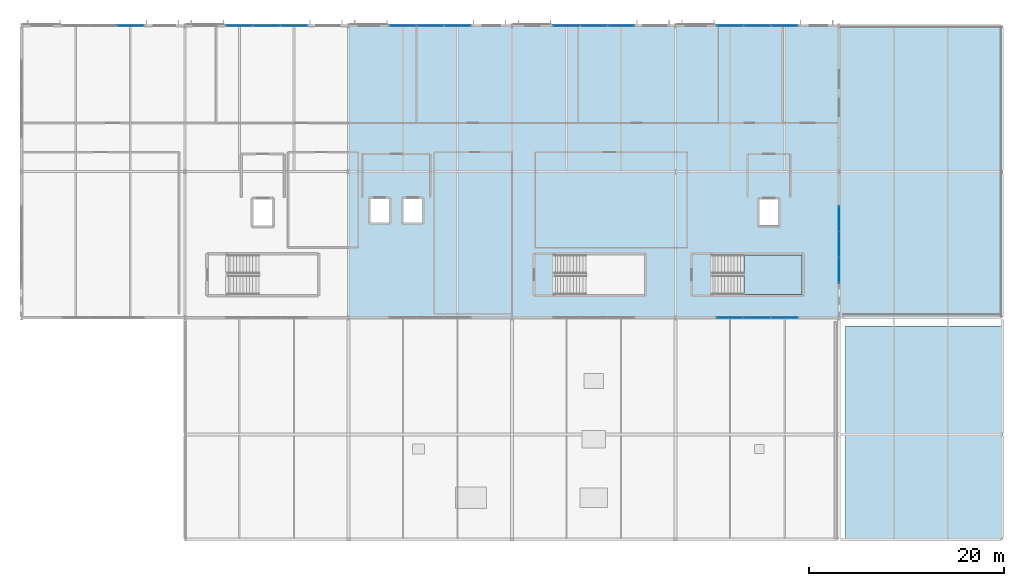
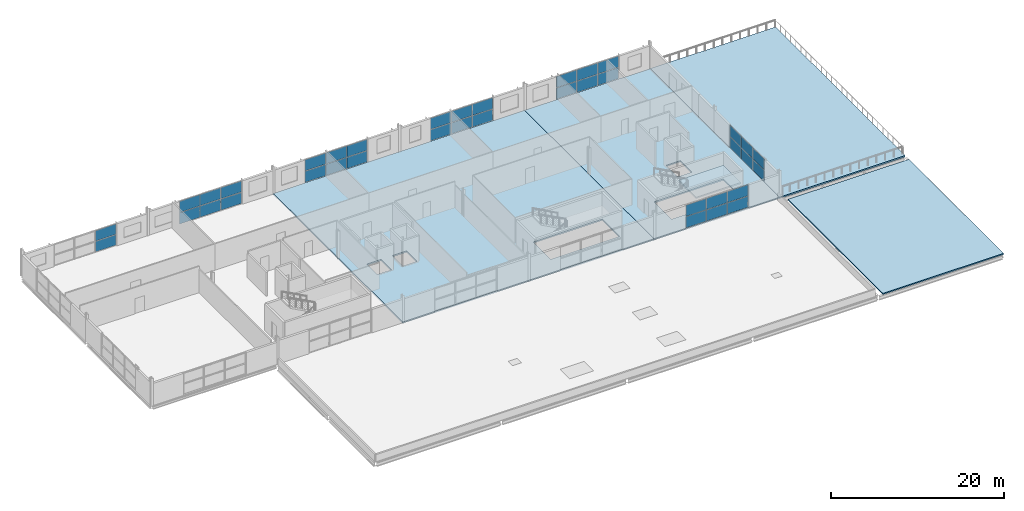
# One storey, part 26 of 36: 38 plates, 5 slabs, 8 elements without a shape of their own.
"""IFC4 building model written with IfcOpenShell, lengths in metres."""

import ifcopenshell
import ifcopenshell.guid

model = None  # the IFC model being written
_history = None  # IfcOwnerHistory: only IFC2X3 demands one
_inside = {}  # id of a spatial element -> (the spatial element, [elements in it])
_under = {}  # id of a project, library or spatial element -> (it, [spatial elements below it])
_declared = {}  # id of a project -> (the project, [libraries it declares])
_typed = {}  # id of a type object -> (the type object, [elements of that type])
_made_of = {}  # id of a material, layer set ... -> (it, [elements and type objects made of it])


def new_model(schema):
    """Start an empty IFC model of exactly this schema.

    Asked for "IFC4X3", IfcOpenShell would pick the latest addendum, in which some entities
    have other attributes; the version numbers below select the first issue.
    IFC2X3 requires an IfcOwnerHistory on every rooted entity: one is made here for all.
    """
    global model, _history
    if schema == "IFC4X3":
        model = ifcopenshell.file(schema_version=(4, 3, 0, 0))
    else:
        model = ifcopenshell.file(schema=schema)
    _inside.clear()
    _under.clear()
    _declared.clear()
    _typed.clear()
    _made_of.clear()
    _history = None
    if model.schema == "IFC2X3":
        org = make("IfcOrganization", Name="unknown")
        user = make(
            "IfcPersonAndOrganization",
            ThePerson=make("IfcPerson", FamilyName="unknown"),
            TheOrganization=org,
        )
        app = make(
            "IfcApplication",
            ApplicationDeveloper=org,
            Version="unknown",
            ApplicationFullName="unknown",
            ApplicationIdentifier="unknown",
        )
        _history = make(
            "IfcOwnerHistory",
            OwningUser=user,
            OwningApplication=app,
            ChangeAction="ADDED",
            CreationDate=0,
        )
    return model


def make(cls, **values):
    """One entity of the class cls with the attributes given. An attribute that is None is left unset."""
    return model.create_entity(
        cls, **{name: value for name, value in values.items() if value is not None}
    )


def rooted(cls, **values):
    """An entity with a GlobalId (a new one), such as an element, a storey or a relation."""
    return make(cls, GlobalId=ifcopenshell.guid.new(), OwnerHistory=_history, **values)


def si_unit(unit_type, name, prefix=None):
    """IfcSIUnit, for example si_unit("LENGTHUNIT", "METRE", prefix="MILLI")."""
    return make("IfcSIUnit", UnitType=unit_type, Prefix=prefix, Name=name)


def assignment(units):
    """IfcUnitAssignment: the units of a project."""
    return None if units is None else make("IfcUnitAssignment", Units=units)


def point(xyz):
    """IfcCartesianPoint."""
    return None if xyz is None else make("IfcCartesianPoint", Coordinates=xyz)


def direction(xyz):
    """IfcDirection."""
    return None if xyz is None else make("IfcDirection", DirectionRatios=xyz)


def frame(location, z_axis=None, x_axis=None):
    """IfcAxis2Placement3D, a coordinate frame: its origin and axes. An axis left out is left unset."""
    return make(
        "IfcAxis2Placement3D",
        Location=point(location),
        Axis=direction(z_axis),
        RefDirection=direction(x_axis),
    )


def frame_2d(location, x_axis=None):
    """IfcAxis2Placement2D, a coordinate frame in the plane: its origin and x axis."""
    return make(
        "IfcAxis2Placement2D", Location=point(location), RefDirection=direction(x_axis)
    )


def origin():
    """The frame at (0, 0, 0) with its axes left unset."""
    return frame((0.0, 0.0, 0.0))


def origin_2d():
    """The frame at (0, 0) in the plane with its x axis left unset."""
    return frame_2d((0.0, 0.0))


def place(relative_to, where):
    """IfcLocalPlacement: puts the frame where relative to a parent placement (None: the world)."""
    return make(
        "IfcLocalPlacement", PlacementRelTo=relative_to, RelativePlacement=where
    )


def context(
    kind, dimensions, precision=None, world=None, true_north=None, identifier=None
):
    """IfcGeometricRepresentationContext, for example the 3D "Model" context."""
    return make(
        "IfcGeometricRepresentationContext",
        ContextIdentifier=identifier,
        ContextType=kind,
        CoordinateSpaceDimension=dimensions,
        Precision=precision,
        WorldCoordinateSystem=world,
        TrueNorth=true_north,
    )


def subcontext(parent, identifier, kind, view, scale=None):
    """IfcGeometricRepresentationSubContext, for example "Body" below "Model"."""
    return make(
        "IfcGeometricRepresentationSubContext",
        ContextIdentifier=identifier,
        ContextType=kind,
        ParentContext=parent,
        TargetScale=scale,
        TargetView=view,
    )


def project(units=None, contexts=None):
    """IfcProject with its units and contexts."""
    return rooted(
        "IfcProject",
        Name="project",
        RepresentationContexts=contexts,
        UnitsInContext=assignment(units),
    )


def spatial(cls, under=None, at=None, **own):
    """A site, building, storey or space (cls), placed at a placement, below another one or the project."""
    s = rooted(cls, ObjectPlacement=at, **own)
    if under is not None:
        _under.setdefault(under.id(), (under, []))[1].append(s)
    return s


def polyline(points):
    """IfcPolyline through the points."""
    return make("IfcPolyline", Points=[point(p) for p in points])


def profile(cls, at=None, kind="AREA", **sizes):
    """A parametric profile (cls). Its sizes go by their IFC names, for example OverallWidth=200.0."""
    return make(cls, ProfileType=kind, Position=at, **sizes)


def rectangle(**sizes):
    """IfcRectangleProfileDef."""
    return profile("IfcRectangleProfileDef", **sizes)


def outline(outer, holes=None, kind="AREA"):
    """IfcArbitraryClosedProfileDef: a profile drawn as a closed curve; with holes, ...WithVoids."""
    if holes is None:
        return make("IfcArbitraryClosedProfileDef", ProfileType=kind, OuterCurve=outer)
    return make(
        "IfcArbitraryProfileDefWithVoids",
        ProfileType=kind,
        OuterCurve=outer,
        InnerCurves=holes,
    )


def extrude(swept, where, along, depth):
    """IfcExtrudedAreaSolid: the profile swept, set in the frame where, extruded along a direction by depth."""
    return make(
        "IfcExtrudedAreaSolid",
        SweptArea=swept,
        Position=where,
        ExtrudedDirection=direction(along),
        Depth=depth,
    )


def shape(context_of_items, identifier, shape_type, items):
    """IfcShapeRepresentation: the items that make up one representation, for example the "Body"."""
    return make(
        "IfcShapeRepresentation",
        ContextOfItems=context_of_items,
        RepresentationIdentifier=identifier,
        RepresentationType=shape_type,
        Items=items,
    )


def material(Name=None, Category=None):
    """IfcMaterial."""
    return make("IfcMaterial", Name=Name, Category=Category)


def layer(
    of_material, thickness, ventilated=None, Name=None, Category=None, Priority=None
):
    """IfcMaterialLayer: one layer of a wall or slab, of a material (None: an air gap)."""
    return make(
        "IfcMaterialLayer",
        Material=of_material,
        LayerThickness=thickness,
        IsVentilated=ventilated,
        Name=Name,
        Category=Category,
        Priority=Priority,
    )


def layer_set(layers, Name=None):
    """IfcMaterialLayerSet."""
    return make("IfcMaterialLayerSet", MaterialLayers=layers, LayerSetName=Name)


def made_of(thing, what):
    """Note that an element or type object is made of a material, layer set ...; save() writes the relation."""
    if what is not None:
        _made_of.setdefault(what.id(), (what, []))[1].append(thing)
    return thing


def type_object(cls, material=None, **own):
    """A type object (cls), such as IfcWallType, which elements share."""
    return made_of(rooted(cls, **own), material)


def element(
    cls,
    number,
    at=None,
    inside=None,
    cuts=None,
    type_object=None,
    material=None,
    context=None,
    identifier="Body",
    shape_type=None,
    held_by="IfcProductDefinitionShape",
    body=None,
    shapes=None,
    **own,
):
    """One element of the class cls, such as IfcWall. Its Tag is "e" and its number.

    at: its placement. inside: the storey or other place that contains it. cuts: it is an
    opening in that element (IfcRelVoidsElement). A single representation is given by context,
    identifier, shape_type and body (its items); several are given by shapes. held_by: the class
    of the entity that holds the representations. save() writes the other relations.
    """
    e = rooted(cls, Tag="e%d" % number, ObjectPlacement=at, **own)
    if body is not None:
        shapes = [shape(context, identifier, shape_type, body)]
    if shapes is not None:
        e.Representation = make(held_by, Representations=shapes)
    if inside is not None:
        _inside.setdefault(inside.id(), (inside, []))[1].append(e)
    if cuts is not None:
        rooted(
            "IfcRelVoidsElement", RelatingBuildingElement=cuts, RelatedOpeningElement=e
        )
    if type_object is not None:
        _typed.setdefault(type_object.id(), (type_object, []))[1].append(e)
    return made_of(e, material)


def aggregate(whole, parts):
    """IfcRelAggregates: a whole, such as a stair, and the parts it consists of."""
    return rooted("IfcRelAggregates", RelatingObject=whole, RelatedObjects=parts)


def save(model, path):
    """Write the relations noted so far, then the file.

    IfcRelAggregates (storeys below a building ...), IfcRelContainedInSpatialStructure (elements
    in a storey), IfcRelDefinesByType, IfcRelAssociatesMaterial and IfcRelDeclares: one each for
    every whole, place, type object, material and project.
    """
    for whole, parts in _under.values():
        aggregate(whole, parts)
    for where, things in _inside.values():
        rooted(
            "IfcRelContainedInSpatialStructure",
            RelatedElements=things,
            RelatingStructure=where,
        )
    for kind, things in _typed.values():
        rooted("IfcRelDefinesByType", RelatedObjects=things, RelatingType=kind)
    for what, things in _made_of.values():
        rooted("IfcRelAssociatesMaterial", RelatedObjects=things, RelatingMaterial=what)
    for by, libraries in _declared.values():
        rooted("IfcRelDeclares", RelatingContext=by, RelatedDefinitions=libraries)
    model.write(path)


model = new_model("IFC4")

# Units and contexts
model_context = context("Model", 3, precision=1e-05, world=origin(), true_north=direction((0.0, 1.0)))
body_context = subcontext(model_context, "Body", "Model", "MODEL_VIEW")
ifc_project = project(units=[si_unit("LENGTHUNIT", "METRE"), si_unit("AREAUNIT", "SQUARE_METRE"), si_unit("VOLUMEUNIT", "CUBIC_METRE"), si_unit("PLANEANGLEUNIT", "RADIAN"), si_unit("MASSUNIT", "GRAM", prefix="KILO")], contexts=[model_context])

# Site, building, storey
site_placement = place(None, origin())
site = spatial("IfcSite", under=ifc_project, at=site_placement, CompositionType="ELEMENT")
building_placement = place(site_placement, origin())
building = spatial("IfcBuilding", under=site, at=building_placement, Name="Kimbaza Rail Terminus", CompositionType="ELEMENT")
storey_placement = place(building_placement, frame((0.0, 0.0, 21.0)))
storey = spatial("IfcBuildingStorey", under=building, at=storey_placement, Name="L04", CompositionType="ELEMENT", Elevation=21.0)

# Curtain wall, plates
ifc_material_1 = material(Name="Anodised aluminium framing and solar low-E glazing", Category="aluminium")
curtain_wall_type = type_object("IfcCurtainWallType", Name="ARC-CW-OP2", PredefinedType="USERDEFINED", material=ifc_material_1)
curtain_wall_1_placement = place(storey_placement, origin())
curtain_wall_1 = element("IfcCurtainWall", 1, at=curtain_wall_1_placement, inside=storey, type_object=curtain_wall_type, Name="Operations North Curtain Wall L04 Bay 1", ObjectType="STICK CURTAIN WALL", PredefinedType="USERDEFINED")
ifc_material_2 = material(Name="Solar-control double low-E glazing", Category="glass")
ifc_layer_1 = layer(ifc_material_2, 0.02294921875)
ifc_layer_set_1 = layer_set([ifc_layer_1], Name="Solar-control double low-E glazing")
plate_type = type_object("IfcPlateType", Name="ARC-CWP-06", PredefinedType="CURTAIN_PANEL", material=ifc_layer_set_1)
plate_1_placement = place(storey_placement, frame((66.385498046875, 133.0, 0.05810546875), z_axis=(0.0, 0.0, 1.0), x_axis=(1.0, 0.0, 0.0)))
plate_1 = element("IfcPlate", 2, at=plate_1_placement, type_object=plate_type, Name="CW-06 panel 3.1", PredefinedType="CURTAIN_PANEL", context=body_context, shape_type="SweptSolid", body=[
    extrude(rectangle(XDim=2.712890625, YDim=0.02294921875, at=origin_2d()), origin(), (0.0, 0.0, 1.0), 1.465576171875),
])
plate_2_placement = place(storey_placement, frame((66.385498046875, 133.0, 1.58154296875), z_axis=(0.0, 0.0, 1.0), x_axis=(1.0, 0.0, 0.0)))
plate_2 = element("IfcPlate", 3, at=plate_2_placement, type_object=plate_type, Name="CW-06 panel 3.2", PredefinedType="CURTAIN_PANEL", context=body_context, shape_type="SweptSolid", body=[
    extrude(rectangle(XDim=2.712890625, YDim=0.02294921875, at=origin_2d()), origin(), (0.0, 0.0, 1.0), 1.465576171875),
])
aggregate(curtain_wall_1, [plate_1, plate_2])

curtain_wall_2_placement = place(storey_placement, origin())
curtain_wall_2 = element("IfcCurtainWall", 4, at=curtain_wall_2_placement, inside=storey, type_object=curtain_wall_type, Name="Operations North Curtain Wall L04 Bay 2", ObjectType="STICK CURTAIN WALL", PredefinedType="USERDEFINED")
plate_3_placement = place(storey_placement, frame((77.614501953125, 133.0, 0.05810546875), z_axis=(0.0, 0.0, 1.0), x_axis=(1.0, 0.0, 0.0)))
plate_3 = element("IfcPlate", 5, at=plate_3_placement, type_object=plate_type, Name="CW-06 panel 1.1", PredefinedType="CURTAIN_PANEL", context=body_context, shape_type="SweptSolid", body=[
    extrude(rectangle(XDim=2.712890625, YDim=0.02294921875, at=origin_2d()), origin(), (0.0, 0.0, 1.0), 1.570556640625),
])
plate_4_placement = place(storey_placement, frame((77.614501953125, 133.0, 1.6865234375), z_axis=(0.0, 0.0, 1.0), x_axis=(1.0, 0.0, 0.0)))
plate_4 = element("IfcPlate", 6, at=plate_4_placement, type_object=plate_type, Name="CW-06 panel 1.2", PredefinedType="CURTAIN_PANEL", context=body_context, shape_type="SweptSolid", body=[
    extrude(rectangle(XDim=2.712890625, YDim=0.02294921875, at=origin_2d()), origin(), (0.0, 0.0, 1.0), 1.570556640625),
])
plate_5_placement = place(storey_placement, frame((80.39990234375, 133.0, 0.05810546875), z_axis=(0.0, 0.0, 1.0), x_axis=(1.0, 0.0, 0.0)))
plate_5 = element("IfcPlate", 7, at=plate_5_placement, type_object=plate_type, Name="CW-06 panel 2.1", PredefinedType="CURTAIN_PANEL", context=body_context, shape_type="SweptSolid", body=[
    extrude(rectangle(XDim=2.741943359375, YDim=0.02294921875, at=origin_2d()), origin(), (0.0, 0.0, 1.0), 1.570556640625),
])
plate_6_placement = place(storey_placement, frame((80.39990234375, 133.0, 1.6865234375), z_axis=(0.0, 0.0, 1.0), x_axis=(1.0, 0.0, 0.0)))
plate_6 = element("IfcPlate", 8, at=plate_6_placement, type_object=plate_type, Name="CW-06 panel 2.2", PredefinedType="CURTAIN_PANEL", context=body_context, shape_type="SweptSolid", body=[
    extrude(rectangle(XDim=2.741943359375, YDim=0.02294921875, at=origin_2d()), origin(), (0.0, 0.0, 1.0), 1.570556640625),
])
plate_7_placement = place(storey_placement, frame((83.185546875, 133.0, 0.05810546875), z_axis=(0.0, 0.0, 1.0), x_axis=(1.0, 0.0, 0.0)))
plate_7 = element("IfcPlate", 9, at=plate_7_placement, type_object=plate_type, Name="CW-06 panel 3.1", PredefinedType="CURTAIN_PANEL", context=body_context, shape_type="SweptSolid", body=[
    extrude(rectangle(XDim=2.712890625, YDim=0.02294921875, at=origin_2d()), origin(), (0.0, 0.0, 1.0), 1.570556640625),
])
plate_8_placement = place(storey_placement, frame((83.185546875, 133.0, 1.6865234375), z_axis=(0.0, 0.0, 1.0), x_axis=(1.0, 0.0, 0.0)))
plate_8 = element("IfcPlate", 10, at=plate_8_placement, type_object=plate_type, Name="CW-06 panel 3.2", PredefinedType="CURTAIN_PANEL", context=body_context, shape_type="SweptSolid", body=[
    extrude(rectangle(XDim=2.712890625, YDim=0.02294921875, at=origin_2d()), origin(), (0.0, 0.0, 1.0), 1.570556640625),
])
aggregate(curtain_wall_2, [plate_3, plate_4, plate_5, plate_6, plate_7, plate_8])

curtain_wall_3_placement = place(storey_placement, origin())
curtain_wall_3 = element("IfcCurtainWall", 11, at=curtain_wall_3_placement, inside=storey, type_object=curtain_wall_type, Name="Operations North Curtain Wall L04 Bay 3", ObjectType="STICK CURTAIN WALL", PredefinedType="USERDEFINED")
plate_9_placement = place(storey_placement, frame((94.41455078125, 133.0, 0.05810546875), z_axis=(0.0, 0.0, 1.0), x_axis=(1.0, 0.0, 0.0)))
plate_9 = element("IfcPlate", 12, at=plate_9_placement, type_object=plate_type, Name="CW-06 panel 1.1", PredefinedType="CURTAIN_PANEL", context=body_context, shape_type="SweptSolid", body=[
    extrude(rectangle(XDim=2.712890625, YDim=0.02294921875, at=origin_2d()), origin(), (0.0, 0.0, 1.0), 1.570556640625),
])
plate_10_placement = place(storey_placement, frame((94.41455078125, 133.0, 1.6865234375), z_axis=(0.0, 0.0, 1.0), x_axis=(1.0, 0.0, 0.0)))
plate_10 = element("IfcPlate", 13, at=plate_10_placement, type_object=plate_type, Name="CW-06 panel 1.2", PredefinedType="CURTAIN_PANEL", context=body_context, shape_type="SweptSolid", body=[
    extrude(rectangle(XDim=2.712890625, YDim=0.02294921875, at=origin_2d()), origin(), (0.0, 0.0, 1.0), 1.570556640625),
])
plate_11_placement = place(storey_placement, frame((97.199951171875, 133.0, 0.05810546875), z_axis=(0.0, 0.0, 1.0), x_axis=(1.0, 0.0, 0.0)))
plate_11 = element("IfcPlate", 14, at=plate_11_placement, type_object=plate_type, Name="CW-06 panel 2.1", PredefinedType="CURTAIN_PANEL", context=body_context, shape_type="SweptSolid", body=[
    extrude(rectangle(XDim=2.741943359375, YDim=0.02294921875, at=origin_2d()), origin(), (0.0, 0.0, 1.0), 1.570556640625),
])
plate_12_placement = place(storey_placement, frame((97.199951171875, 133.0, 1.6865234375), z_axis=(0.0, 0.0, 1.0), x_axis=(1.0, 0.0, 0.0)))
plate_12 = element("IfcPlate", 15, at=plate_12_placement, type_object=plate_type, Name="CW-06 panel 2.2", PredefinedType="CURTAIN_PANEL", context=body_context, shape_type="SweptSolid", body=[
    extrude(rectangle(XDim=2.741943359375, YDim=0.02294921875, at=origin_2d()), origin(), (0.0, 0.0, 1.0), 1.570556640625),
])
plate_13_placement = place(storey_placement, frame((99.985595703125, 133.0, 0.05810546875), z_axis=(0.0, 0.0, 1.0), x_axis=(1.0, 0.0, 0.0)))
plate_13 = element("IfcPlate", 16, at=plate_13_placement, type_object=plate_type, Name="CW-06 panel 3.1", PredefinedType="CURTAIN_PANEL", context=body_context, shape_type="SweptSolid", body=[
    extrude(rectangle(XDim=2.712890625, YDim=0.02294921875, at=origin_2d()), origin(), (0.0, 0.0, 1.0), 1.570556640625),
])
plate_14_placement = place(storey_placement, frame((99.985595703125, 133.0, 1.6865234375), z_axis=(0.0, 0.0, 1.0), x_axis=(1.0, 0.0, 0.0)))
plate_14 = element("IfcPlate", 17, at=plate_14_placement, type_object=plate_type, Name="CW-06 panel 3.2", PredefinedType="CURTAIN_PANEL", context=body_context, shape_type="SweptSolid", body=[
    extrude(rectangle(XDim=2.712890625, YDim=0.02294921875, at=origin_2d()), origin(), (0.0, 0.0, 1.0), 1.570556640625),
])
aggregate(curtain_wall_3, [plate_9, plate_10, plate_11, plate_12, plate_13, plate_14])

curtain_wall_4_placement = place(storey_placement, origin())
curtain_wall_4 = element("IfcCurtainWall", 18, at=curtain_wall_4_placement, inside=storey, type_object=curtain_wall_type, Name="Operations North Curtain Wall L04 Bay 4", ObjectType="STICK CURTAIN WALL", PredefinedType="USERDEFINED")
plate_15_placement = place(storey_placement, frame((111.214599609375, 133.0, 0.05810546875), z_axis=(0.0, 0.0, 1.0), x_axis=(1.0, 0.0, 0.0)))
plate_15 = element("IfcPlate", 19, at=plate_15_placement, type_object=plate_type, Name="CW-06 panel 1.1", PredefinedType="CURTAIN_PANEL", context=body_context, shape_type="SweptSolid", body=[
    extrude(rectangle(XDim=2.712890625, YDim=0.02294921875, at=origin_2d()), origin(), (0.0, 0.0, 1.0), 1.570556640625),
])
plate_16_placement = place(storey_placement, frame((111.214599609375, 133.0, 1.6865234375), z_axis=(0.0, 0.0, 1.0), x_axis=(1.0, 0.0, 0.0)))
plate_16 = element("IfcPlate", 20, at=plate_16_placement, type_object=plate_type, Name="CW-06 panel 1.2", PredefinedType="CURTAIN_PANEL", context=body_context, shape_type="SweptSolid", body=[
    extrude(rectangle(XDim=2.712890625, YDim=0.02294921875, at=origin_2d()), origin(), (0.0, 0.0, 1.0), 1.570556640625),
])
plate_17_placement = place(storey_placement, frame((114.0, 133.0, 0.05810546875), z_axis=(0.0, 0.0, 1.0), x_axis=(1.0, 0.0, 0.0)))
plate_17 = element("IfcPlate", 21, at=plate_17_placement, type_object=plate_type, Name="CW-06 panel 2.1", PredefinedType="CURTAIN_PANEL", context=body_context, shape_type="SweptSolid", body=[
    extrude(rectangle(XDim=2.741943359375, YDim=0.02294921875, at=origin_2d()), origin(), (0.0, 0.0, 1.0), 1.570556640625),
])
plate_18_placement = place(storey_placement, frame((114.0, 133.0, 1.6865234375), z_axis=(0.0, 0.0, 1.0), x_axis=(1.0, 0.0, 0.0)))
plate_18 = element("IfcPlate", 22, at=plate_18_placement, type_object=plate_type, Name="CW-06 panel 2.2", PredefinedType="CURTAIN_PANEL", context=body_context, shape_type="SweptSolid", body=[
    extrude(rectangle(XDim=2.741943359375, YDim=0.02294921875, at=origin_2d()), origin(), (0.0, 0.0, 1.0), 1.570556640625),
])
plate_19_placement = place(storey_placement, frame((116.785400390625, 133.0, 0.05810546875), z_axis=(0.0, 0.0, 1.0), x_axis=(1.0, 0.0, 0.0)))
plate_19 = element("IfcPlate", 23, at=plate_19_placement, type_object=plate_type, Name="CW-06 panel 3.1", PredefinedType="CURTAIN_PANEL", context=body_context, shape_type="SweptSolid", body=[
    extrude(rectangle(XDim=2.712890625, YDim=0.02294921875, at=origin_2d()), origin(), (0.0, 0.0, 1.0), 1.570556640625),
])
plate_20_placement = place(storey_placement, frame((116.785400390625, 133.0, 1.6865234375), z_axis=(0.0, 0.0, 1.0), x_axis=(1.0, 0.0, 0.0)))
plate_20 = element("IfcPlate", 24, at=plate_20_placement, type_object=plate_type, Name="CW-06 panel 3.2", PredefinedType="CURTAIN_PANEL", context=body_context, shape_type="SweptSolid", body=[
    extrude(rectangle(XDim=2.712890625, YDim=0.02294921875, at=origin_2d()), origin(), (0.0, 0.0, 1.0), 1.570556640625),
])
aggregate(curtain_wall_4, [plate_15, plate_16, plate_17, plate_18, plate_19, plate_20])

curtain_wall_5_placement = place(storey_placement, origin())
curtain_wall_5 = element("IfcCurtainWall", 25, at=curtain_wall_5_placement, inside=storey, type_object=curtain_wall_type, Name="Operations North Curtain Wall L04 Bay 5", ObjectType="STICK CURTAIN WALL", PredefinedType="USERDEFINED")
plate_21_placement = place(storey_placement, frame((128.014404296875, 133.0, 0.05810546875), z_axis=(0.0, 0.0, 1.0), x_axis=(1.0, 0.0, 0.0)))
plate_21 = element("IfcPlate", 26, at=plate_21_placement, type_object=plate_type, Name="CW-06 panel 1.1", PredefinedType="CURTAIN_PANEL", context=body_context, shape_type="SweptSolid", body=[
    extrude(rectangle(XDim=2.712890625, YDim=0.02294921875, at=origin_2d()), origin(), (0.0, 0.0, 1.0), 1.570556640625),
])
plate_22_placement = place(storey_placement, frame((128.014404296875, 133.0, 1.6865234375), z_axis=(0.0, 0.0, 1.0), x_axis=(1.0, 0.0, 0.0)))
plate_22 = element("IfcPlate", 27, at=plate_22_placement, type_object=plate_type, Name="CW-06 panel 1.2", PredefinedType="CURTAIN_PANEL", context=body_context, shape_type="SweptSolid", body=[
    extrude(rectangle(XDim=2.712890625, YDim=0.02294921875, at=origin_2d()), origin(), (0.0, 0.0, 1.0), 1.570556640625),
])
plate_23_placement = place(storey_placement, frame((130.800048828125, 133.0, 0.05810546875), z_axis=(0.0, 0.0, 1.0), x_axis=(1.0, 0.0, 0.0)))
plate_23 = element("IfcPlate", 28, at=plate_23_placement, type_object=plate_type, Name="CW-06 panel 2.1", PredefinedType="CURTAIN_PANEL", context=body_context, shape_type="SweptSolid", body=[
    extrude(rectangle(XDim=2.741943359375, YDim=0.02294921875, at=origin_2d()), origin(), (0.0, 0.0, 1.0), 1.570556640625),
])
plate_24_placement = place(storey_placement, frame((130.800048828125, 133.0, 1.6865234375), z_axis=(0.0, 0.0, 1.0), x_axis=(1.0, 0.0, 0.0)))
plate_24 = element("IfcPlate", 29, at=plate_24_placement, type_object=plate_type, Name="CW-06 panel 2.2", PredefinedType="CURTAIN_PANEL", context=body_context, shape_type="SweptSolid", body=[
    extrude(rectangle(XDim=2.741943359375, YDim=0.02294921875, at=origin_2d()), origin(), (0.0, 0.0, 1.0), 1.570556640625),
])
plate_25_placement = place(storey_placement, frame((133.58544921875, 133.0, 0.05810546875), z_axis=(0.0, 0.0, 1.0), x_axis=(1.0, 0.0, 0.0)))
plate_25 = element("IfcPlate", 30, at=plate_25_placement, type_object=plate_type, Name="CW-06 panel 3.1", PredefinedType="CURTAIN_PANEL", context=body_context, shape_type="SweptSolid", body=[
    extrude(rectangle(XDim=2.712890625, YDim=0.02294921875, at=origin_2d()), origin(), (0.0, 0.0, 1.0), 1.570556640625),
])
plate_26_placement = place(storey_placement, frame((133.58544921875, 133.0, 1.6865234375), z_axis=(0.0, 0.0, 1.0), x_axis=(1.0, 0.0, 0.0)))
plate_26 = element("IfcPlate", 31, at=plate_26_placement, type_object=plate_type, Name="CW-06 panel 3.2", PredefinedType="CURTAIN_PANEL", context=body_context, shape_type="SweptSolid", body=[
    extrude(rectangle(XDim=2.712890625, YDim=0.02294921875, at=origin_2d()), origin(), (0.0, 0.0, 1.0), 1.570556640625),
])
aggregate(curtain_wall_5, [plate_21, plate_22, plate_23, plate_24, plate_25, plate_26])

curtain_wall_6_placement = place(storey_placement, origin())
curtain_wall_6 = element("IfcCurtainWall", 32, at=curtain_wall_6_placement, inside=storey, type_object=curtain_wall_type, Name="Operations South Curtain Wall L04 Bay 5", ObjectType="STICK CURTAIN WALL", PredefinedType="USERDEFINED")
plate_27_placement = place(storey_placement, frame((128.014404296875, 103.0, 0.05810546875), z_axis=(0.0, 0.0, 1.0), x_axis=(1.0, 0.0, 0.0)))
plate_27 = element("IfcPlate", 33, at=plate_27_placement, type_object=plate_type, Name="CW-06 panel 1.1", PredefinedType="CURTAIN_PANEL", context=body_context, shape_type="SweptSolid", body=[
    extrude(rectangle(XDim=2.712890625, YDim=0.02294921875, at=origin_2d()), origin(), (0.0, 0.0, 1.0), 1.570556640625),
])
plate_28_placement = place(storey_placement, frame((128.014404296875, 103.0, 1.6865234375), z_axis=(0.0, 0.0, 1.0), x_axis=(1.0, 0.0, 0.0)))
plate_28 = element("IfcPlate", 34, at=plate_28_placement, type_object=plate_type, Name="CW-06 panel 1.2", PredefinedType="CURTAIN_PANEL", context=body_context, shape_type="SweptSolid", body=[
    extrude(rectangle(XDim=2.712890625, YDim=0.02294921875, at=origin_2d()), origin(), (0.0, 0.0, 1.0), 1.570556640625),
])
plate_29_placement = place(storey_placement, frame((130.800048828125, 103.0, 0.05810546875), z_axis=(0.0, 0.0, 1.0), x_axis=(1.0, 0.0, 0.0)))
plate_29 = element("IfcPlate", 35, at=plate_29_placement, type_object=plate_type, Name="CW-06 panel 2.1", PredefinedType="CURTAIN_PANEL", context=body_context, shape_type="SweptSolid", body=[
    extrude(rectangle(XDim=2.741943359375, YDim=0.02294921875, at=origin_2d()), origin(), (0.0, 0.0, 1.0), 1.570556640625),
])
plate_30_placement = place(storey_placement, frame((130.800048828125, 103.0, 1.6865234375), z_axis=(0.0, 0.0, 1.0), x_axis=(1.0, 0.0, 0.0)))
plate_30 = element("IfcPlate", 36, at=plate_30_placement, type_object=plate_type, Name="CW-06 panel 2.2", PredefinedType="CURTAIN_PANEL", context=body_context, shape_type="SweptSolid", body=[
    extrude(rectangle(XDim=2.741943359375, YDim=0.02294921875, at=origin_2d()), origin(), (0.0, 0.0, 1.0), 1.570556640625),
])
plate_31_placement = place(storey_placement, frame((133.58544921875, 103.0, 0.05810546875), z_axis=(0.0, 0.0, 1.0), x_axis=(1.0, 0.0, 0.0)))
plate_31 = element("IfcPlate", 37, at=plate_31_placement, type_object=plate_type, Name="CW-06 panel 3.1", PredefinedType="CURTAIN_PANEL", context=body_context, shape_type="SweptSolid", body=[
    extrude(rectangle(XDim=2.712890625, YDim=0.02294921875, at=origin_2d()), origin(), (0.0, 0.0, 1.0), 1.570556640625),
])
plate_32_placement = place(storey_placement, frame((133.58544921875, 103.0, 1.6865234375), z_axis=(0.0, 0.0, 1.0), x_axis=(1.0, 0.0, 0.0)))
plate_32 = element("IfcPlate", 38, at=plate_32_placement, type_object=plate_type, Name="CW-06 panel 3.2", PredefinedType="CURTAIN_PANEL", context=body_context, shape_type="SweptSolid", body=[
    extrude(rectangle(XDim=2.712890625, YDim=0.02294921875, at=origin_2d()), origin(), (0.0, 0.0, 1.0), 1.570556640625),
])
aggregate(curtain_wall_6, [plate_27, plate_28, plate_29, plate_30, plate_31, plate_32])

curtain_wall_7_placement = place(storey_placement, origin())
curtain_wall_7 = element("IfcCurtainWall", 39, at=curtain_wall_7_placement, inside=storey, type_object=curtain_wall_type, Name="Operations E Curtain Wall L04.1", ObjectType="STICK CURTAIN WALL", PredefinedType="USERDEFINED")
plate_33_placement = place(storey_placement, frame((139.199951171875, 107.847900390625, 0.05810546875), z_axis=(0.0, 0.0, 1.0), x_axis=(0.0, 1.0, 0.0)))
plate_33 = element("IfcPlate", 40, at=plate_33_placement, type_object=plate_type, Name="CW-06 panel 1.1", PredefinedType="CURTAIN_PANEL", context=body_context, shape_type="SweptSolid", body=[
    extrude(rectangle(XDim=2.57958984375, YDim=0.02294921875, at=origin_2d()), origin(), (0.0, 0.0, 1.0), 1.570556640625),
])
plate_34_placement = place(storey_placement, frame((139.199951171875, 107.847900390625, 1.6865234375), z_axis=(0.0, 0.0, 1.0), x_axis=(0.0, 1.0, 0.0)))
plate_34 = element("IfcPlate", 41, at=plate_34_placement, type_object=plate_type, Name="CW-06 panel 1.2", PredefinedType="CURTAIN_PANEL", context=body_context, shape_type="SweptSolid", body=[
    extrude(rectangle(XDim=2.57958984375, YDim=0.02294921875, at=origin_2d()), origin(), (0.0, 0.0, 1.0), 1.570556640625),
])
plate_35_placement = place(storey_placement, frame((139.199951171875, 110.5, 0.05810546875), z_axis=(0.0, 0.0, 1.0), x_axis=(0.0, 1.0, 0.0)))
plate_35 = element("IfcPlate", 42, at=plate_35_placement, type_object=plate_type, Name="CW-06 panel 2.1", PredefinedType="CURTAIN_PANEL", context=body_context, shape_type="SweptSolid", body=[
    extrude(rectangle(XDim=2.608642578125, YDim=0.02294921875, at=origin_2d()), origin(), (0.0, 0.0, 1.0), 1.570556640625),
])
plate_36_placement = place(storey_placement, frame((139.199951171875, 110.5, 1.6865234375), z_axis=(0.0, 0.0, 1.0), x_axis=(0.0, 1.0, 0.0)))
plate_36 = element("IfcPlate", 43, at=plate_36_placement, type_object=plate_type, Name="CW-06 panel 2.2", PredefinedType="CURTAIN_PANEL", context=body_context, shape_type="SweptSolid", body=[
    extrude(rectangle(XDim=2.608642578125, YDim=0.02294921875, at=origin_2d()), origin(), (0.0, 0.0, 1.0), 1.570556640625),
])
plate_37_placement = place(storey_placement, frame((139.199951171875, 113.152099609375, 0.05810546875), z_axis=(0.0, 0.0, 1.0), x_axis=(0.0, 1.0, 0.0)))
plate_37 = element("IfcPlate", 44, at=plate_37_placement, type_object=plate_type, Name="CW-06 panel 3.1", PredefinedType="CURTAIN_PANEL", context=body_context, shape_type="SweptSolid", body=[
    extrude(rectangle(XDim=2.57958984375, YDim=0.02294921875, at=origin_2d()), origin(), (0.0, 0.0, 1.0), 1.570556640625),
])
plate_38_placement = place(storey_placement, frame((139.199951171875, 113.152099609375, 1.6865234375), z_axis=(0.0, 0.0, 1.0), x_axis=(0.0, 1.0, 0.0)))
plate_38 = element("IfcPlate", 45, at=plate_38_placement, type_object=plate_type, Name="CW-06 panel 3.2", PredefinedType="CURTAIN_PANEL", context=body_context, shape_type="SweptSolid", body=[
    extrude(rectangle(XDim=2.57958984375, YDim=0.02294921875, at=origin_2d()), origin(), (0.0, 0.0, 1.0), 1.570556640625),
])
aggregate(curtain_wall_7, [plate_33, plate_34, plate_35, plate_36, plate_37, plate_38])

# Stair, slab
ifc_material_3 = material(Name="Concrete C40/50", Category="concrete")
stair_type = type_object("IfcStairType", Name="ARC-STR-04", PredefinedType="HALF_TURN_STAIR", material=ifc_material_3)
stair_placement = place(storey_placement, origin())
stair = element("IfcStair", 46, at=stair_placement, inside=storey, type_object=stair_type, Name="L04 Operations East Exit Stair", PredefinedType="HALF_TURN_STAIR")
ifc_material_4 = material(Name="Concrete C40/50", Category="concrete")
ifc_layer_2 = layer(ifc_material_4, 0.199951171875)
ifc_layer_set_2 = layer_set([ifc_layer_2], Name="Concrete C40/50")
slab_type_1 = type_object("IfcSlabType", Name="STR-SL-LND200", PredefinedType="LANDING", material=ifc_layer_set_2)
slab_1_placement = place(storey_placement, frame((0.0, 0.0, 1.75)))
slab_1 = element("IfcSlab", 47, at=slab_1_placement, type_object=slab_type_1, Name="ST-E1 landing 1", PredefinedType="LANDING", context=body_context, shape_type="SweptSolid", body=[
    extrude(outline(polyline([(129.419921875, 105.39990234375), (135.39990234375, 105.39990234375), (135.39990234375, 109.43994140625), (129.419921875, 109.43994140625), (129.419921875, 105.39990234375)])), origin(), (0.0, 0.0, 1.0), 0.199951171875),
])
aggregate(stair, [slab_1])

# Slabs
ifc_material_5 = material(Name="Concrete C40/50", Category="concrete")
ifc_layer_3 = layer(ifc_material_5, 0.175048828125)
ifc_layer_set_3 = layer_set([ifc_layer_3], Name="Concrete C40/50")
slab_type_2 = type_object("IfcSlabType", Name="STR-SL-RF175", PredefinedType="ROOF", material=ifc_layer_set_3)
slab_2_placement = place(storey_placement, frame((0.0, 0.0, -0.175048828125)))
element("IfcSlab", 48, at=slab_2_placement, inside=storey, type_object=slab_type_2, Name="Over-Track Footbridge East Lounge Roof Slab", PredefinedType="ROOF", context=body_context, shape_type="SweptSolid", body=[
    extrude(outline(polyline([(139.85009765625, 80.199951171875), (156.0, 80.199951171875), (156.0, 102.14990234375), (139.85009765625, 102.14990234375), (139.85009765625, 80.199951171875)])), origin(), (0.0, 0.0, 1.0), 0.175048828125),
])
ifc_material_6 = material(Name="Concrete C40/50", Category="concrete")
ifc_layer_4 = layer(ifc_material_6, 0.199951171875)
ifc_layer_set_4 = layer_set([ifc_layer_4], Name="Concrete C40/50")
slab_type_3 = type_object("IfcSlabType", Name="STR-SL-TER200", PredefinedType="FLOOR", material=ifc_layer_set_4)
slab_3_placement = place(storey_placement, frame((0.0, 0.0, -0.199951171875)))
element("IfcSlab", 49, at=slab_3_placement, inside=storey, type_object=slab_type_3, Name="L04 East Operations Terrace Slab", PredefinedType="FLOOR", context=body_context, shape_type="SweptSolid", body=[
    extrude(outline(polyline([(139.199951171875, 103.0), (156.0, 103.0), (156.0, 133.0), (139.199951171875, 133.0), (139.199951171875, 103.0)])), origin(), (0.0, 0.0, 1.0), 0.199951171875),
])
ifc_material_7 = material(Name="Concrete C40/50", Category="concrete")
ifc_layer_5 = layer(ifc_material_7, 0.199951171875)
ifc_layer_set_5 = layer_set([ifc_layer_5], Name="Concrete C40/50")
slab_type_4 = type_object("IfcSlabType", Name="STR-SL-UPP200", PredefinedType="FLOOR", material=ifc_layer_set_5)
slab_4_placement = place(storey_placement, frame((0.0, 0.0, -0.199951171875)))
element("IfcSlab", 50, at=slab_4_placement, inside=storey, type_object=slab_type_4, Name="Operations Wing L04 Slab Zone 2", PredefinedType="FLOOR", context=body_context, shape_type="SweptSolid", body=[
    extrude(outline(polyline([(88.800048828125, 103.0), (122.39990234375, 103.0), (122.39990234375, 133.0), (88.800048828125, 133.0), (88.800048828125, 103.0)]), holes=[polyline([(109.945068359375, 105.39990234375), (119.199951171875, 105.39990234375), (119.199951171875, 109.43994140625), (109.945068359375, 109.43994140625), (109.945068359375, 105.39990234375)]), polyline([(91.050048828125, 112.800048828125), (92.949951171875, 112.800048828125), (92.949951171875, 115.199951171875), (91.050048828125, 115.199951171875), (91.050048828125, 112.800048828125)]), polyline([(94.449951171875, 112.800048828125), (96.35009765625, 112.800048828125), (96.35009765625, 115.199951171875), (94.449951171875, 115.199951171875), (94.449951171875, 112.800048828125)])]), origin(), (0.0, 0.0, 1.0), 0.199951171875),
])
slab_5_placement = place(storey_placement, frame((0.0, 0.0, -0.199951171875)))
element("IfcSlab", 51, at=slab_5_placement, inside=storey, type_object=slab_type_4, Name="Operations Wing L04 Slab Zone 3", PredefinedType="FLOOR", context=body_context, shape_type="SweptSolid", body=[
    extrude(outline(polyline([(122.39990234375, 103.0), (139.199951171875, 103.0), (139.199951171875, 133.0), (122.39990234375, 133.0), (122.39990234375, 103.0)]), holes=[polyline([(126.14501953125, 105.39990234375), (135.39990234375, 105.39990234375), (135.39990234375, 109.43994140625), (126.14501953125, 109.43994140625), (126.14501953125, 105.39990234375)]), polyline([(131.050048828125, 112.449951171875), (132.949951171875, 112.449951171875), (132.949951171875, 115.14990234375), (131.050048828125, 115.14990234375), (131.050048828125, 112.449951171875)])]), origin(), (0.0, 0.0, 1.0), 0.199951171875),
])

save(model, "model.ifc")
